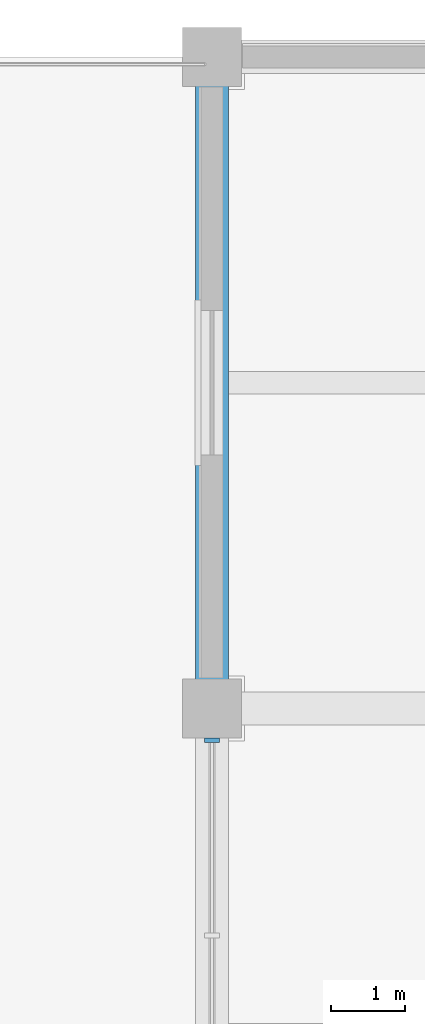
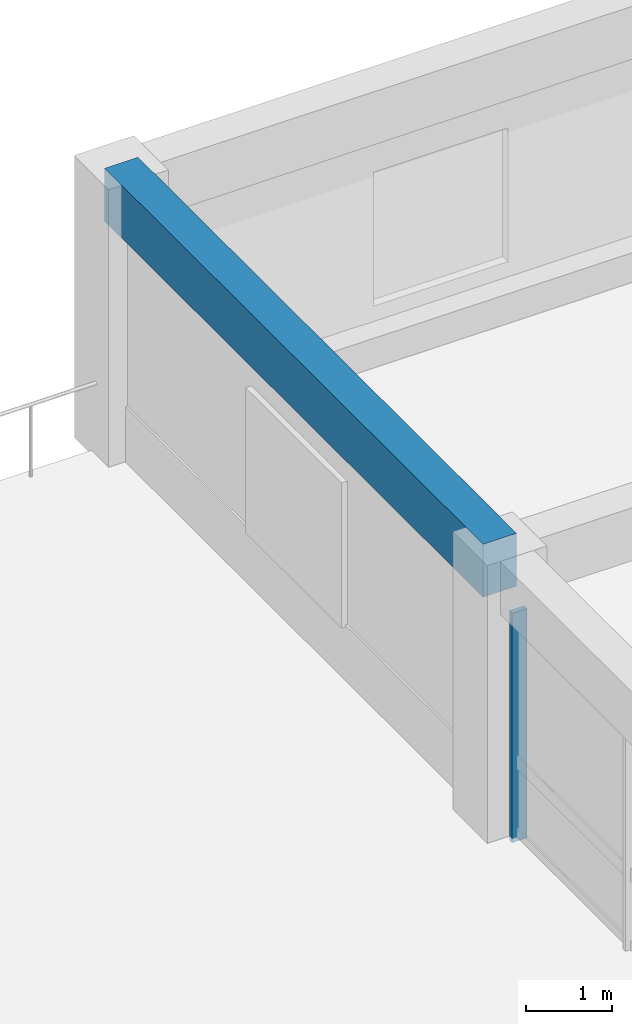
# One storey, part 25 of 49: 1 beam, 1 member, 1 element without a shape of its own.
"""IFC4 building model written with IfcOpenShell, lengths in metres."""

from ifc_helpers import new_model, si_unit, direction, frame, origin, origin_2d, place, context, subcontext, project, spatial, rectangle, extrude, material, material_profile, profile_set, type_object, element, aggregate, save


model = new_model("IFC4")

# Units and contexts
model_context = context("Model", 3, precision=1e-05, world=origin(), true_north=direction((0.0, 1.0)))
body_context = subcontext(model_context, "Body", "Model", "MODEL_VIEW")
ifc_project = project(units=[si_unit("LENGTHUNIT", "METRE"), si_unit("AREAUNIT", "SQUARE_METRE"), si_unit("VOLUMEUNIT", "CUBIC_METRE"), si_unit("PLANEANGLEUNIT", "RADIAN"), si_unit("MASSUNIT", "GRAM", prefix="KILO")], contexts=[model_context])

# Site, building, storey
site_placement = place(None, origin())
site = spatial("IfcSite", under=ifc_project, at=site_placement, CompositionType="ELEMENT")
building_placement = place(site_placement, origin())
building = spatial("IfcBuilding", under=site, at=building_placement, Name="Kemercrest Conservatory and Botanical Centre", CompositionType="ELEMENT")
storey_placement = place(building_placement, frame((0.0, 0.0, 13.199951171875)))
storey = spatial("IfcBuildingStorey", under=building, at=storey_placement, Name="L03", CompositionType="ELEMENT", Elevation=13.199951171875)

# Curtain wall, member
ifc_material_1 = material(Name="Thermally broken aluminium and triple low-e glazing", Category="aluminium")
curtain_wall_type = type_object("IfcCurtainWallType", Name="CW-07", PredefinedType="USERDEFINED", material=ifc_material_1)
curtain_wall_placement = place(storey_placement, origin())
curtain_wall = element("IfcCurtainWall", 1, at=curtain_wall_placement, inside=storey, type_object=curtain_wall_type, Name="Unitised curtain wall CW-07 (CW:L03:V4-066)", ObjectType="UNITISED CURTAIN WALL", PredefinedType="USERDEFINED")
ifc_material_2 = material(Name="Thermally broken anodized aluminium 6063-T6", Category="aluminium")
ifc_material_profile_1 = material_profile(ifc_material_2, rectangle(XDim=0.199951171875, YDim=0.06494140625, at=origin_2d()), Name="AL MULLION 65x200")
ifc_profile_set_1 = profile_set([ifc_material_profile_1], Name="Thermally broken anodized aluminium 6063-T6")
member_type = type_object("IfcMemberType", Name="CW-M200", PredefinedType="MULLION", material=ifc_profile_set_1)
member_placement = place(storey_placement, frame((134.0, 113.172607421875, 0.0), z_axis=(0.0, 0.0, 1.0), x_axis=(1.0, 0.0, 0.0)))
member = element("IfcMember", 2, at=member_placement, type_object=member_type, Name="CW-07 mullion 1", PredefinedType="MULLION", context=body_context, shape_type="SweptSolid", body=[
    extrude(rectangle(XDim=0.199951171875, YDim=0.06494140625, at=origin_2d()), origin(), (0.0, 0.0, 1.0), 3.255126953125),
])
aggregate(curtain_wall, [member])

# Beam
ifc_material_3 = material(Name="Concrete C40/50", Category="concrete")
ifc_material_profile_2 = material_profile(ifc_material_3, rectangle(XDim=0.449951171875, YDim=0.75, at=origin_2d()), Name="RC 450x750")
ifc_profile_set_2 = profile_set([ifc_material_profile_2], Name="Concrete C40/50")
beam_type = type_object("IfcBeamType", Name="SP-RC75", PredefinedType="SPANDREL", material=ifc_profile_set_2)
beam_placement = place(storey_placement, frame((134.0, 113.60009765625, 3.625), z_axis=(0.0, 1.0, 0.0), x_axis=(-1.0, 0.0, 0.0)))
element("IfcBeam", 3, at=beam_placement, inside=storey, type_object=beam_type, Name="V4-L04 beam SP-RC75 16/N-P", PredefinedType="SPANDREL", context=body_context, shape_type="SweptSolid", body=[
    extrude(rectangle(XDim=0.449951171875, YDim=0.75, at=origin_2d()), origin(), (0.0, 0.0, 1.0), 8.7998046875),
])

save(model, "model.ifc")
